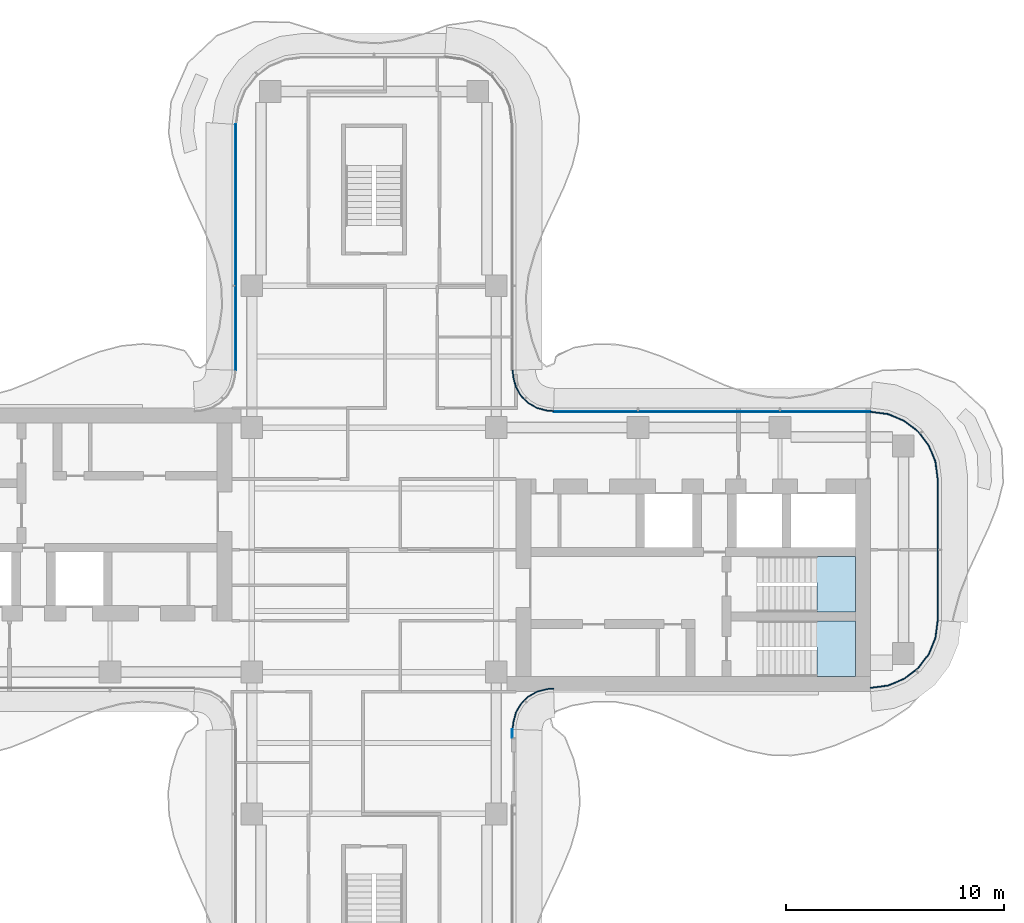
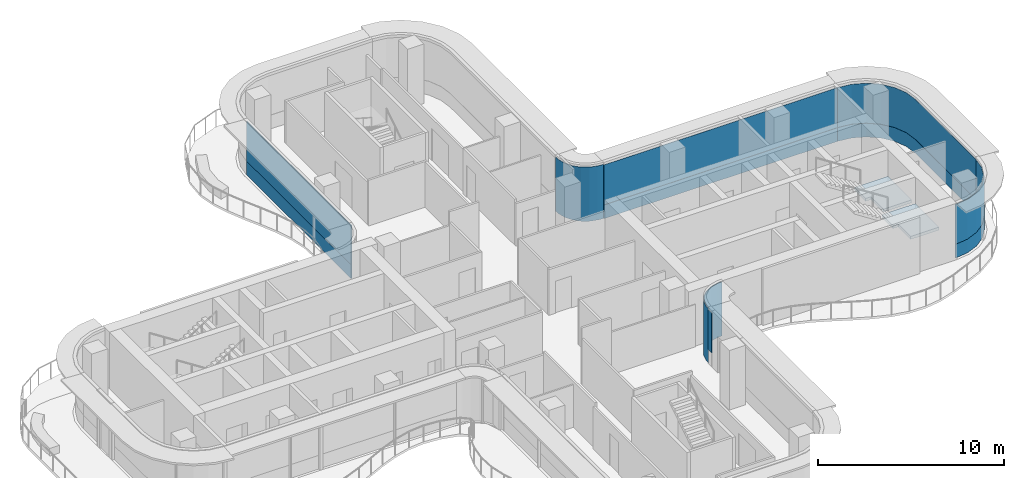
# One storey, part 10 of 17: 11 plates, 2 slabs, 9 elements without a shape of their own.
"""IFC4 building model written with IfcOpenShell, lengths in metres."""

from ifc_helpers import new_model, si_unit, direction, frame, origin, place, context, subcontext, project, spatial, polyline, outline, extrude, source, transform, mapped, material, layer, layer_set, type_object, element, aggregate, save


model = new_model("IFC4")

# Units and contexts
model_context = context("Model", 3, precision=1e-05, world=origin(), true_north=direction((0.0, 1.0)))
body_context = subcontext(model_context, "Body", "Model", "MODEL_VIEW")
ifc_project = project(units=[si_unit("LENGTHUNIT", "METRE"), si_unit("AREAUNIT", "SQUARE_METRE"), si_unit("VOLUMEUNIT", "CUBIC_METRE"), si_unit("PLANEANGLEUNIT", "RADIAN"), si_unit("MASSUNIT", "GRAM", prefix="KILO")], contexts=[model_context])

# Site, building, storey
site_placement = place(None, origin())
site = spatial("IfcSite", under=ifc_project, at=site_placement, CompositionType="ELEMENT")
building_placement = place(site_placement, origin())
building = spatial("IfcBuilding", under=site, at=building_placement, Name="Trellis Farm Tower", CompositionType="ELEMENT")
storey_placement = place(building_placement, frame((0.0, 0.0, 279.39990234375)))
storey = spatial("IfcBuildingStorey", under=building, at=storey_placement, Name="L62", CompositionType="ELEMENT", Elevation=279.39990234375)

# Curtain wall, plate
ifc_material_1 = material(Name="Aluminium and glass curtain wall", Category="aluminium")
ifc_layer_1 = layer(ifc_material_1, 0.18994140625)
ifc_layer_set_1 = layer_set([ifc_layer_1], Name="RIBBON CURTAIN WALL CW1")
curtain_wall_type_1 = type_object("IfcCurtainWallType", Name="RIBBON CURTAIN WALL CW1", PredefinedType="NOTDEFINED", material=ifc_layer_set_1)
placement_1 = place(storey_placement, origin())
curtain_wall_1 = element("IfcCurtainWall", 1, at=placement_1, inside=storey, type_object=curtain_wall_type_1, Name="CW1 005", PredefinedType="NOTDEFINED")
ifc_material_2 = material(Name="Clear insulated glass", Category="glass")
ifc_layer_2 = layer(ifc_material_2, 0.0400390625)
ifc_layer_set_2 = layer_set([ifc_layer_2], Name="CW1 GLASS PANEL 40")
plate_type_1 = type_object("IfcPlateType", Name="CW1 GLASS PANEL 40", PredefinedType="CURTAIN_PANEL", material=ifc_layer_set_2)
placement_2 = place(storey_placement, frame((0.0, 0.0, 0.900146484375)))
plate_1 = element("IfcPlate", 2, at=placement_2, type_object=plate_type_1, Name="PL1 005", PredefinedType="CURTAIN_PANEL", context=body_context, shape_type="SweptSolid", body=[
    extrude(outline(polyline([(6.35009765625, -8.605712890625), (6.35009765625, -8.2265625), (6.31005859375, -8.22509765625), (6.31005859375, -8.605712890625), (6.35009765625, -8.605712890625)])), origin(), (0.0, 0.0, 1.0), 2.619873046875),
])
aggregate(curtain_wall_1, [plate_1])

# Stair, slab
ifc_material_3 = material(Name="Concrete C50/60", Category="concrete")
stair_type = type_object("IfcStairType", Name="CORE EXIT STAIR 22 RISERS 177 MM", PredefinedType="HALF_TURN_STAIR", material=ifc_material_3)
stair_1 = element("IfcStair", 3, at=placement_1, inside=storey, type_object=stair_type, Name="Exit stair E1", PredefinedType="HALF_TURN_STAIR")
ifc_layer_3 = layer(ifc_material_3, 0.18994140625)
ifc_layer_set_3 = layer_set([ifc_layer_3], Name="CORE STAIR LANDING 190 CONCRETE C50/60")
slab_type = type_object("IfcSlabType", Name="CORE STAIR LANDING 190 CONCRETE C50/60", PredefinedType="LANDING", material=ifc_layer_set_3)
shared_shape_1 = source(origin(), body_context, "Body", "SweptSolid", [
    extrude(outline(polyline([(20.2900390625, -5.800048828125), (20.2900390625, -4.60009765625), (20.300048828125, -4.60009765625), (20.300048828125, -4.449951171875), (19.971923828125, -4.449951171875), (19.971923828125, -3.25), (20.300048828125, -3.25), (22.050048828125, -3.25), (22.050048828125, -5.800048828125), (20.300048828125, -5.800048828125), (20.2900390625, -5.800048828125)])), origin(), (0.0, 0.0, 1.0), 0.190185546875),
])
placement_3 = place(storey_placement, frame((0.0, 0.0, 1.760009765625)))
slab_1 = element("IfcSlab", 4, at=placement_3, type_object=slab_type, Name="STE1 landing 1", PredefinedType="LANDING", context=body_context, shape_type="MappedRepresentation", body=[
    mapped(shared_shape_1, transform((0.0, 0.0, 0.0))),
])
aggregate(stair_1, [slab_1])

stair_2 = element("IfcStair", 5, at=placement_1, inside=storey, type_object=stair_type, Name="Exit stair E2", PredefinedType="HALF_TURN_STAIR")
shared_shape_2 = source(origin(), body_context, "Body", "SweptSolid", [
    extrude(outline(polyline([(20.2900390625, -2.85009765625), (20.2900390625, -1.64990234375), (20.300048828125, -1.64990234375), (20.300048828125, -1.5), (19.971923828125, -1.5), (19.971923828125, -0.300048828125), (20.300048828125, -0.300048828125), (22.050048828125, -0.300048828125), (22.050048828125, -2.85009765625), (20.300048828125, -2.85009765625), (20.2900390625, -2.85009765625)])), origin(), (0.0, 0.0, 1.0), 0.190185546875),
])
slab_2 = element("IfcSlab", 6, at=placement_3, type_object=slab_type, Name="STE2 landing 1", PredefinedType="LANDING", context=body_context, shape_type="MappedRepresentation", body=[
    mapped(shared_shape_2, transform((0.0, 0.0, 0.0))),
])
aggregate(stair_2, [slab_2])

# Curtain wall, plate
ifc_layer_4 = layer(ifc_material_1, 0.166015625)
ifc_layer_set_4 = layer_set([ifc_layer_4], Name="WINTER GARDEN CURTAIN WALL CW3")
curtain_wall_type_2 = type_object("IfcCurtainWallType", Name="WINTER GARDEN CURTAIN WALL CW3", PredefinedType="NOTDEFINED", material=ifc_layer_set_4)
curtain_wall_2 = element("IfcCurtainWall", 7, at=placement_1, inside=storey, type_object=curtain_wall_type_2, Name="CW3 002", PredefinedType="NOTDEFINED")
ifc_layer_5 = layer(ifc_material_2, 0.0458984375)
ifc_layer_set_5 = layer_set([ifc_layer_5], Name="CW3 GLASS PANEL 46")
plate_type_2 = type_object("IfcPlateType", Name="CW3 GLASS PANEL 46", PredefinedType="CURTAIN_PANEL", material=ifc_layer_set_5)
shared_shape_3 = source(origin(), body_context, "Body", "SweptSolid", [
    extrude(outline(polyline([(6.3798828125, -8.2275390625), (6.394287109375, -8.0078125), (6.40966796875, -7.89208984375), (6.52490234375, -7.462158203125), (6.7509765625, -7.070556640625), (7.070556640625, -6.7509765625), (7.462158203125, -6.52490234375), (7.89208984375, -6.40966796875), (8.0078125, -6.394287109375), (8.2275390625, -6.3798828125), (8.22607421875, -6.333984375), (8.003173828125, -6.3486328125), (7.883056640625, -6.364501953125), (7.4443359375, -6.48193359375), (7.04248046875, -6.714111328125), (6.714111328125, -7.04248046875), (6.48193359375, -7.4443359375), (6.364501953125, -7.883056640625), (6.3486328125, -8.003173828125), (6.333984375, -8.22607421875), (6.3798828125, -8.2275390625)])), origin(), (0.0, 0.0, 1.0), 3.550048828125),
])
plate_2 = element("IfcPlate", 8, at=placement_1, type_object=plate_type_2, Name="PL3 002", PredefinedType="CURTAIN_PANEL", context=body_context, shape_type="MappedRepresentation", body=[
    mapped(shared_shape_3, transform((0.0, 0.0, 0.0))),
])
aggregate(curtain_wall_2, [plate_2])

curtain_wall_3 = element("IfcCurtainWall", 9, at=placement_1, inside=storey, type_object=curtain_wall_type_2, Name="CW3 003", PredefinedType="NOTDEFINED")
shared_shape_4 = source(origin(), body_context, "Body", "SweptSolid", [
    extrude(outline(polyline([(8.2275390625, 6.3798828125), (8.0078125, 6.394287109375), (7.89208984375, 6.40966796875), (7.462158203125, 6.52490234375), (7.070556640625, 6.7509765625), (6.7509765625, 7.070556640625), (6.52490234375, 7.462158203125), (6.40966796875, 7.89208984375), (6.394287109375, 8.0078125), (6.3798828125, 8.2275390625), (6.333984375, 8.22607421875), (6.3486328125, 8.003173828125), (6.364501953125, 7.883056640625), (6.48193359375, 7.4443359375), (6.714111328125, 7.04248046875), (7.04248046875, 6.714111328125), (7.4443359375, 6.48193359375), (7.883056640625, 6.364501953125), (8.003173828125, 6.3486328125), (8.22607421875, 6.333984375), (8.2275390625, 6.3798828125)])), origin(), (0.0, 0.0, 1.0), 3.550048828125),
])
plate_3 = element("IfcPlate", 10, at=placement_1, type_object=plate_type_2, Name="PL3 003", PredefinedType="CURTAIN_PANEL", context=body_context, shape_type="MappedRepresentation", body=[
    mapped(shared_shape_4, transform((0.0, 0.0, 0.0))),
])
aggregate(curtain_wall_3, [plate_3])

# Curtain wall, plates
curtain_wall_4 = element("IfcCurtainWall", 11, at=placement_1, inside=storey, type_object=curtain_wall_type_1, Name="CW1 011", PredefinedType="NOTDEFINED")
shared_shape_5 = source(origin(), body_context, "Body", "SweptSolid", [
    extrude(outline(polyline([(-6.35009765625, 19.490234375), (-6.35009765625, 8.2265625), (-6.31005859375, 8.22509765625), (-6.31005859375, 19.487548828125), (-6.35009765625, 19.490234375)])), origin(), (0.0, 0.0, 1.0), 2.619873046875),
])
plate_4 = element("IfcPlate", 12, at=placement_2, type_object=plate_type_1, Name="PL1 011", PredefinedType="CURTAIN_PANEL", context=body_context, shape_type="MappedRepresentation", body=[
    mapped(shared_shape_5, transform((0.0, 0.0, 0.0))),
])
ifc_material_4 = material(Name="Sandstone faced insulated panel", Category="masonry")
ifc_layer_6 = layer(ifc_material_4, 0.050048828125)
ifc_layer_set_6 = layer_set([ifc_layer_6], Name="CW1 STONE SPANDREL PANEL 50")
plate_type_3 = type_object("IfcPlateType", Name="CW1 STONE SPANDREL PANEL 50", PredefinedType="CURTAIN_PANEL", material=ifc_layer_set_6)
shared_shape_6 = source(origin(), body_context, "Body", "SweptSolid", [
    extrude(outline(polyline([(-6.35009765625, 19.490234375), (-6.35009765625, 8.2265625), (-6.300048828125, 8.224853515625), (-6.300048828125, 19.48681640625), (-6.35009765625, 19.490234375)])), origin(), (0.0, 0.0, 1.0), 0.900146484375),
])
plate_5 = element("IfcPlate", 13, at=placement_1, type_object=plate_type_3, Name="PS1 011", PredefinedType="CURTAIN_PANEL", context=body_context, shape_type="MappedRepresentation", body=[
    mapped(shared_shape_6, transform((0.0, 0.0, 0.0))),
])
aggregate(curtain_wall_4, [plate_4, plate_5])

curtain_wall_5 = element("IfcCurtainWall", 14, at=placement_1, inside=storey, type_object=curtain_wall_type_1, Name="CW1 006", PredefinedType="NOTDEFINED")
shared_shape_7 = source(origin(), body_context, "Body", "SweptSolid", [
    extrude(outline(polyline([(22.740234375, -6.35009765625), (23.552001953125, -6.2431640625), (24.29931640625, -5.93359375), (24.941162109375, -5.441162109375), (25.43359375, -4.79931640625), (25.7431640625, -4.052001953125), (25.85009765625, -3.240234375), (25.81005859375, -3.237548828125), (25.7041015625, -4.04150390625), (25.398681640625, -4.779296875), (24.91259765625, -5.41259765625), (24.279296875, -5.898681640625), (23.54150390625, -6.2041015625), (22.737548828125, -6.31005859375), (22.740234375, -6.35009765625)])), origin(), (0.0, 0.0, 1.0), 2.619873046875),
])
plate_6 = element("IfcPlate", 15, at=placement_2, type_object=plate_type_1, Name="PL1 006", PredefinedType="CURTAIN_PANEL", context=body_context, shape_type="MappedRepresentation", body=[
    mapped(shared_shape_7, transform((0.0, 0.0, 0.0))),
])
shared_shape_8 = source(origin(), body_context, "Body", "SweptSolid", [
    extrude(outline(polyline([(22.740234375, -6.35009765625), (23.552001953125, -6.2431640625), (24.29931640625, -5.93359375), (24.941162109375, -5.441162109375), (25.43359375, -4.79931640625), (25.7431640625, -4.052001953125), (25.85009765625, -3.240234375), (25.800048828125, -3.23681640625), (25.6943359375, -4.0390625), (25.389892578125, -4.774169921875), (24.905517578125, -5.405517578125), (24.274169921875, -5.889892578125), (23.5390625, -6.1943359375), (22.73681640625, -6.300048828125), (22.740234375, -6.35009765625)])), origin(), (0.0, 0.0, 1.0), 0.900146484375),
])
plate_7 = element("IfcPlate", 16, at=placement_1, type_object=plate_type_3, Name="PS1 006", PredefinedType="CURTAIN_PANEL", context=body_context, shape_type="MappedRepresentation", body=[
    mapped(shared_shape_8, transform((0.0, 0.0, 0.0))),
])
aggregate(curtain_wall_5, [plate_6, plate_7])

curtain_wall_6 = element("IfcCurtainWall", 17, at=placement_1, inside=storey, type_object=curtain_wall_type_1, Name="CW1 008", PredefinedType="NOTDEFINED")
shared_shape_9 = source(origin(), body_context, "Body", "SweptSolid", [
    extrude(outline(polyline([(22.740234375, 6.35009765625), (8.2265625, 6.35009765625), (8.22509765625, 6.31005859375), (22.737548828125, 6.31005859375), (22.740234375, 6.35009765625)])), origin(), (0.0, 0.0, 1.0), 2.619873046875),
])
plate_8 = element("IfcPlate", 18, at=placement_2, type_object=plate_type_1, Name="PL1 008", PredefinedType="CURTAIN_PANEL", context=body_context, shape_type="MappedRepresentation", body=[
    mapped(shared_shape_9, transform((0.0, 0.0, 0.0))),
])
shared_shape_10 = source(origin(), body_context, "Body", "SweptSolid", [
    extrude(outline(polyline([(22.740234375, 6.35009765625), (8.2265625, 6.35009765625), (8.224853515625, 6.300048828125), (22.73681640625, 6.300048828125), (22.740234375, 6.35009765625)])), origin(), (0.0, 0.0, 1.0), 0.900146484375),
])
plate_9 = element("IfcPlate", 19, at=placement_1, type_object=plate_type_3, Name="PS1 008", PredefinedType="CURTAIN_PANEL", context=body_context, shape_type="MappedRepresentation", body=[
    mapped(shared_shape_10, transform((0.0, 0.0, 0.0))),
])
aggregate(curtain_wall_6, [plate_8, plate_9])

curtain_wall_7 = element("IfcCurtainWall", 20, at=placement_1, inside=storey, type_object=curtain_wall_type_1, Name="CW1 007", PredefinedType="NOTDEFINED")
shared_shape_11 = source(origin(), body_context, "Body", "SweptSolid", [
    extrude(outline(polyline([(25.85009765625, -3.240234375), (25.85009765625, 3.240234375), (25.7431640625, 4.052001953125), (25.43359375, 4.79931640625), (24.941162109375, 5.441162109375), (24.29931640625, 5.93359375), (23.552001953125, 6.2431640625), (22.740234375, 6.35009765625), (22.737548828125, 6.31005859375), (23.54150390625, 6.2041015625), (24.279296875, 5.898681640625), (24.91259765625, 5.41259765625), (25.398681640625, 4.779296875), (25.7041015625, 4.04150390625), (25.81005859375, 3.237548828125), (25.81005859375, -3.237548828125), (25.85009765625, -3.240234375)])), origin(), (0.0, 0.0, 1.0), 2.619873046875),
])
plate_10 = element("IfcPlate", 21, at=placement_2, type_object=plate_type_1, Name="PL1 007", PredefinedType="CURTAIN_PANEL", context=body_context, shape_type="MappedRepresentation", body=[
    mapped(shared_shape_11, transform((0.0, 0.0, 0.0))),
])
shared_shape_12 = source(origin(), body_context, "Body", "SweptSolid", [
    extrude(outline(polyline([(25.85009765625, -3.240234375), (25.85009765625, 3.240234375), (25.7431640625, 4.052001953125), (25.43359375, 4.79931640625), (24.941162109375, 5.441162109375), (24.29931640625, 5.93359375), (23.552001953125, 6.2431640625), (22.740234375, 6.35009765625), (22.73681640625, 6.300048828125), (23.5390625, 6.1943359375), (24.274169921875, 5.889892578125), (24.905517578125, 5.405517578125), (25.389892578125, 4.774169921875), (25.6943359375, 4.0390625), (25.800048828125, 3.23681640625), (25.800048828125, -3.23681640625), (25.85009765625, -3.240234375)])), origin(), (0.0, 0.0, 1.0), 0.900146484375),
])
plate_11 = element("IfcPlate", 22, at=placement_1, type_object=plate_type_3, Name="PS1 007", PredefinedType="CURTAIN_PANEL", context=body_context, shape_type="MappedRepresentation", body=[
    mapped(shared_shape_12, transform((0.0, 0.0, 0.0))),
])
aggregate(curtain_wall_7, [plate_10, plate_11])

save(model, "model.ifc")
